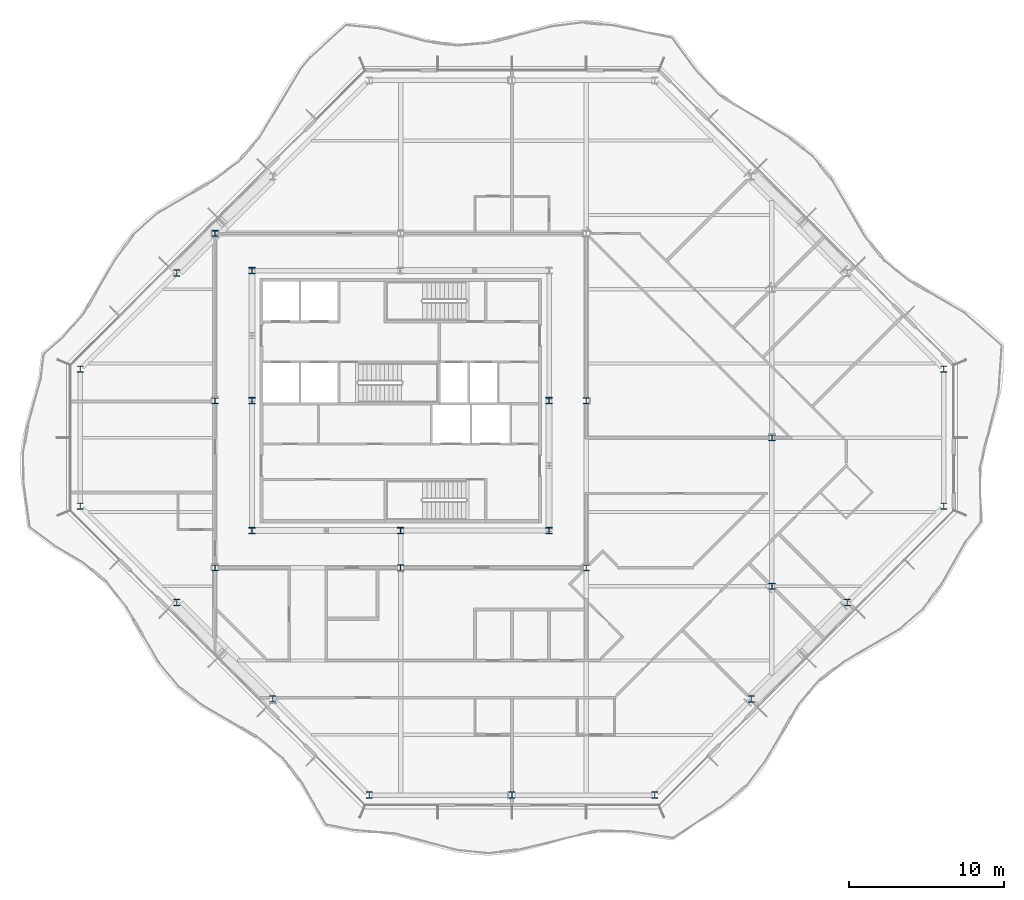
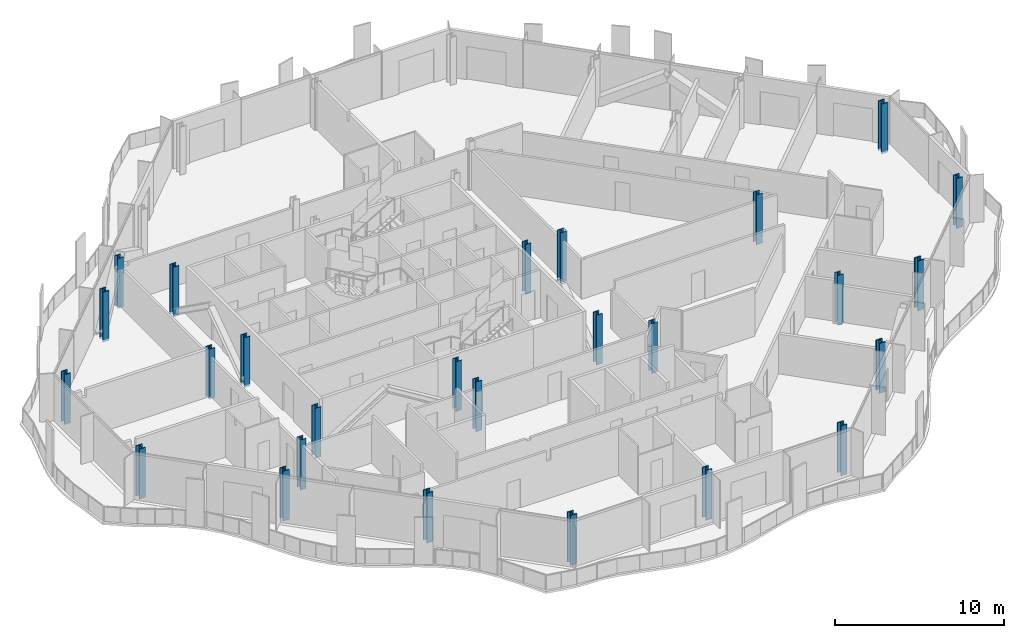
# One storey, part 1 of 17: 26 columns.
"""IFC4 building model written with IfcOpenShell, lengths in metres."""

from ifc_helpers import new_model, si_unit, direction, frame, origin, origin_2d, place, context, subcontext, project, spatial, i_section, extrude, material, material_profile, profile_set, type_object, element, save


model = new_model("IFC4")

# Units and contexts
model_context = context("Model", 3, precision=1e-05, world=origin(), true_north=direction((0.0, 1.0)))
body_context = subcontext(model_context, "Body", "Model", "MODEL_VIEW")
ifc_project = project(units=[si_unit("LENGTHUNIT", "METRE"), si_unit("AREAUNIT", "SQUARE_METRE"), si_unit("VOLUMEUNIT", "CUBIC_METRE"), si_unit("PLANEANGLEUNIT", "RADIAN"), si_unit("MASSUNIT", "GRAM", prefix="KILO")], contexts=[model_context])

# Site, building, storey
site_placement = place(None, origin())
site = spatial("IfcSite", under=ifc_project, at=site_placement, CompositionType="ELEMENT")
building_placement = place(site_placement, origin())
building = spatial("IfcBuilding", under=site, at=building_placement, Name="Cairn Pilgrim Tower", CompositionType="ELEMENT")
storey_placement = place(building_placement, frame((0.0, 0.0, 214.199951171875)))
storey = spatial("IfcBuildingStorey", under=building, at=storey_placement, Name="L54", CompositionType="ELEMENT", Elevation=214.199951171875)

# Columns
ifc_material_1 = material(Name="Structural steel S355J2", Category="steel")
ifc_material_profile_1 = material_profile(ifc_material_1, i_section(OverallWidth=0.39892578125, OverallDepth=0.39306640625, WebThickness=0.022705078125, FlangeThickness=0.03662109375, FilletRadius=0.014892578125, at=origin_2d()), Name="HD 400x287")
ifc_profile_set_1 = profile_set([ifc_material_profile_1], Name="Structural steel S355J2")
column_type_1 = type_object("IfcColumnType", Name="HD 400x287", PredefinedType="COLUMN", material=ifc_profile_set_1)
for number, where, z_axis, x_axis, name in (
    (1, (-4.800048828125, -8.39990234375, -0.14990234375), (0.0, 0.0, 1.0), (1.0, 0.0, 0.0), "IC-1"),
    (2, (7.199951171875, -8.39990234375, -0.14990234375), (0.0, 0.0, 1.0), (1.0, 0.0, 0.0), "IC-2"),
    (3, (19.199951171875, -8.39990234375, -0.14990234375), (0.0, 0.0, 1.0), (1.0, 0.0, 0.0), "IC-3"),
    (4, (-4.800048828125, 2.39990234375, -0.14990234375), (0.0, 0.0, 1.0), (1.0, 0.0, 0.0), "IC-4"),
    (5, (19.199951171875, 2.39990234375, -0.14990234375), (0.0, 0.0, 1.0), (1.0, 0.0, 0.0), "IC-5"),
    (6, (-4.800048828125, 13.199951171875, -0.14990234375), (0.0, 0.0, 1.0), (1.0, 0.0, 0.0), "IC-6"),
    (7, (31.199951171875, -9.60009765625, -0.14990234375), (0.0, 0.0, 1.0), (1.0, 0.0, 0.0), "WC-WE-2"),
    (8, (31.199951171875, 0.0, -0.14990234375), (0.0, 0.0, 1.0), (1.0, 0.0, 0.0), "WC-WE+0"),
):
    element("IfcColumn", number, at=place(storey_placement, frame(where, z_axis=z_axis, x_axis=x_axis)), inside=storey, type_object=column_type_1, Name=name, PredefinedType="COLUMN", context=body_context, shape_type="SweptSolid", body=[
        extrude(i_section(OverallWidth=0.39892578125, OverallDepth=0.39306640625, WebThickness=0.022705078125, FlangeThickness=0.03662109375, FilletRadius=0.014892578125, at=origin_2d()), origin(), (0.0, 0.0, 1.0), 3.599853515625),
    ])
ifc_material_2 = material(Name="Structural steel S460M", Category="steel")
ifc_material_profile_2 = material_profile(ifc_material_2, i_section(OverallWidth=0.404052734375, OverallDepth=0.406982421875, WebThickness=0.027099609375, FlangeThickness=0.043701171875, FilletRadius=0.014892578125, at=origin_2d()), Name="HD 400x347")
ifc_profile_set_2 = profile_set([ifc_material_profile_2], Name="Structural steel S460M")
column_type_2 = type_object("IfcColumnType", Name="HD 400x347", PredefinedType="COLUMN", material=ifc_profile_set_2)
for number, where, z_axis, x_axis, name in (
    (9, (-2.39990234375, -6.0, -0.14990234375), (0.0, 0.0, 1.0), (1.0, 0.0, 0.0), "KC-1"),
    (10, (7.199951171875, -6.0, -0.14990234375), (0.0, 0.0, 1.0), (1.0, 0.0, 0.0), "KC-2"),
    (11, (16.800048828125, -6.0, -0.14990234375), (0.0, 0.0, 1.0), (1.0, 0.0, 0.0), "KC-3"),
    (12, (-2.39990234375, 2.39990234375, -0.14990234375), (0.0, 0.0, 1.0), (1.0, 0.0, 0.0), "KC-4"),
    (13, (16.800048828125, 2.39990234375, -0.14990234375), (0.0, 0.0, 1.0), (1.0, 0.0, 0.0), "KC-5"),
    (14, (-2.39990234375, 10.800048828125, -0.14990234375), (0.0, 0.0, 1.0), (1.0, 0.0, 0.0), "KC-6"),
):
    element("IfcColumn", number, at=place(storey_placement, frame(where, z_axis=z_axis, x_axis=x_axis)), inside=storey, type_object=column_type_2, Name=name, PredefinedType="COLUMN", context=body_context, shape_type="SweptSolid", body=[
        extrude(i_section(OverallWidth=0.404052734375, OverallDepth=0.406982421875, WebThickness=0.027099609375, FlangeThickness=0.043701171875, FilletRadius=0.014892578125, at=origin_2d()), origin(), (0.0, 0.0, 1.0), 3.599853515625),
    ])
ifc_material_profile_3 = material_profile(ifc_material_2, i_section(OverallWidth=0.416015625, OverallDepth=0.446044921875, WebThickness=0.0390625, FlangeThickness=0.062744140625, FilletRadius=0.014892578125, at=origin_2d()), Name="HD 400x509")
ifc_profile_set_3 = profile_set([ifc_material_profile_3], Name="Structural steel S460M")
column_type_3 = type_object("IfcColumnType", Name="HD 400x509", PredefinedType="COLUMN", material=ifc_profile_set_3)
for number, where, z_axis, x_axis, name in (
    (15, (5.1728515625, -23.10009765625, -0.14990234375), (0.0, 0.0, 1.0), (1.0, 0.0, 0.0), "PC3-S1"),
    (16, (14.39990234375, -23.10009765625, -0.14990234375), (0.0, 0.0, 1.0), (1.0, 0.0, 0.0), "PC3-S2"),
    (17, (23.627197265625, -23.10009765625, -0.14990234375), (0.0, 0.0, 1.0), (1.0, 0.0, 0.0), "PC3-SE1"),
    (18, (29.8515625, -16.875732421875, -0.14990234375), (0.0, 0.0, 1.0), (1.0, 0.0, 0.0), "PC3-SE2"),
    (19, (36.07568359375, -10.651611328125, -0.14990234375), (0.0, 0.0, 1.0), (1.0, 0.0, 0.0), "PC3-SE3"),
    (20, (42.300048828125, -4.42724609375, -0.14990234375), (0.0, 0.0, 1.0), (1.0, 0.0, 0.0), "PC3-E1"),
    (21, (42.300048828125, 4.42724609375, -0.14990234375), (0.0, 0.0, 1.0), (1.0, 0.0, 0.0), "PC3-NE1"),
    (22, (-7.275634765625, 10.651611328125, -0.14990234375), (0.0, 0.0, 1.0), (1.0, 0.0, 0.0), "PC3-NW3"),
    (23, (-13.5, 4.42724609375, -0.14990234375), (0.0, 0.0, 1.0), (1.0, 0.0, 0.0), "PC3-W1"),
    (24, (-13.5, -4.42724609375, -0.14990234375), (0.0, 0.0, 1.0), (1.0, 0.0, 0.0), "PC3-SW1"),
    (25, (-7.275634765625, -10.651611328125, -0.14990234375), (0.0, 0.0, 1.0), (1.0, 0.0, 0.0), "PC3-SW2"),
    (26, (-1.051513671875, -16.875732421875, -0.14990234375), (0.0, 0.0, 1.0), (1.0, 0.0, 0.0), "PC3-SW3"),
):
    element("IfcColumn", number, at=place(storey_placement, frame(where, z_axis=z_axis, x_axis=x_axis)), inside=storey, type_object=column_type_3, Name=name, PredefinedType="COLUMN", context=body_context, shape_type="SweptSolid", body=[
        extrude(i_section(OverallWidth=0.416015625, OverallDepth=0.446044921875, WebThickness=0.0390625, FlangeThickness=0.062744140625, FilletRadius=0.014892578125, at=origin_2d()), origin(), (0.0, 0.0, 1.0), 3.599853515625),
    ])

save(model, "model.ifc")
